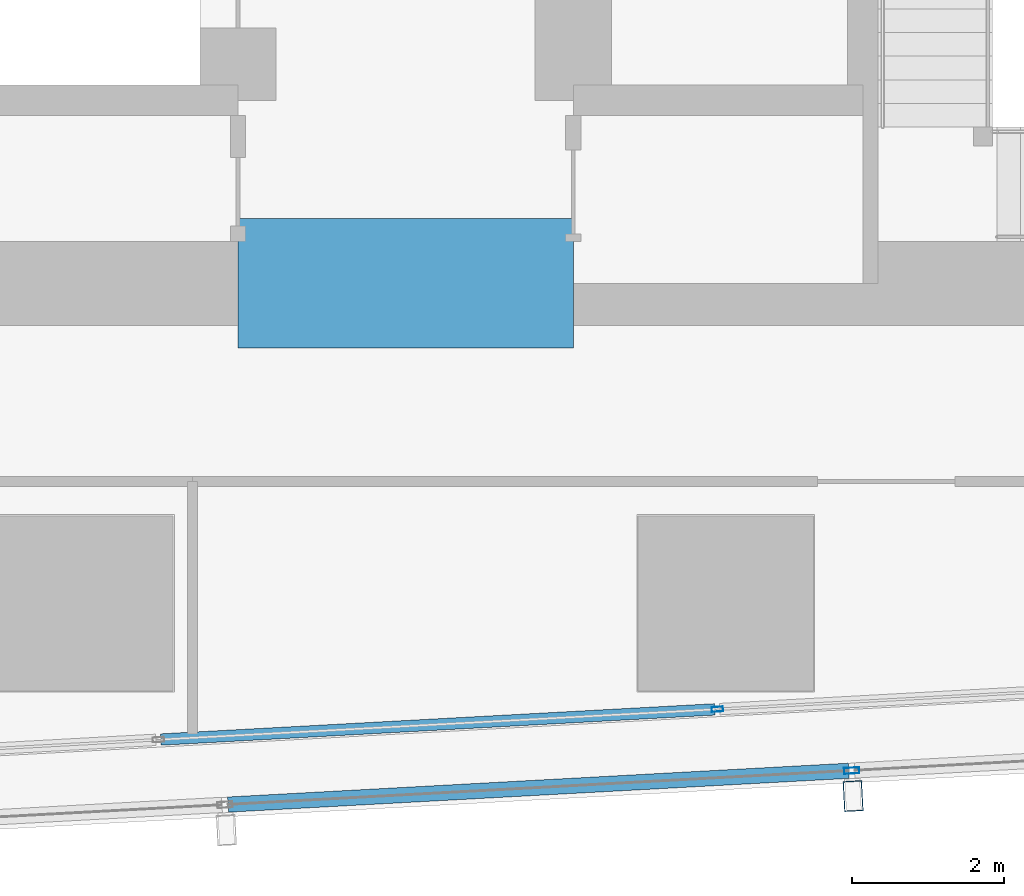
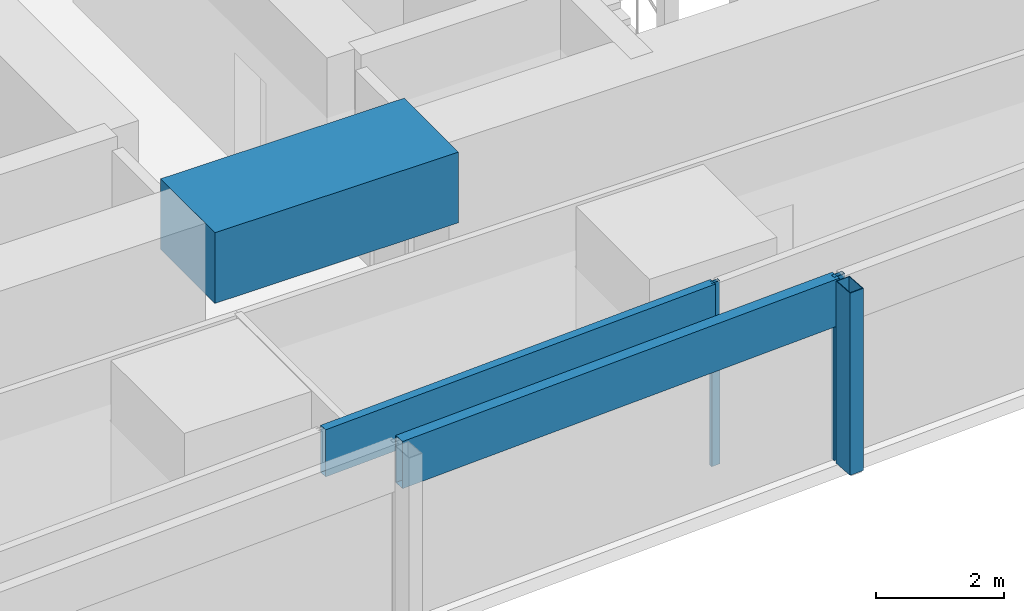
# One storey, part 8 of 32: 5 members, 1 beam, 2 elements without a shape of their own.
"""IFC4 building model written with IfcOpenShell, lengths in metres."""

from ifc_helpers import new_model, si_unit, direction, frame, origin, origin_2d, place, context, subcontext, project, spatial, rectangle, hollow_rectangle, extrude, material, material_profile, profile_set, type_object, element, aggregate, save


model = new_model("IFC4")

# Units and contexts
model_context = context("Model", 3, precision=1e-05, world=origin(), true_north=direction((0.0, 1.0)))
body_context = subcontext(model_context, "Body", "Model", "MODEL_VIEW")
ifc_project = project(units=[si_unit("LENGTHUNIT", "METRE"), si_unit("AREAUNIT", "SQUARE_METRE"), si_unit("VOLUMEUNIT", "CUBIC_METRE"), si_unit("PLANEANGLEUNIT", "RADIAN"), si_unit("MASSUNIT", "GRAM", prefix="KILO")], contexts=[model_context])

# Site, building, storey
site_placement = place(None, origin())
site = spatial("IfcSite", under=ifc_project, at=site_placement, CompositionType="ELEMENT")
building_placement = place(site_placement, origin())
building = spatial("IfcBuilding", under=site, at=building_placement, Name="Rekha Terrace Tower", CompositionType="ELEMENT")
storey_placement = place(building_placement, frame((0.0, 0.0, 250.10009765625)))
storey = spatial("IfcBuildingStorey", under=building, at=storey_placement, Name="L63", CompositionType="ELEMENT", Elevation=250.10009765625)

# Curtain wall, member
ifc_material_1 = material(Name="Aluminium framing", Category="aluminium")
curtain_wall_type_1 = type_object("IfcCurtainWallType", Name="CW2 double skin outer glazing", PredefinedType="USERDEFINED", material=ifc_material_1)
curtain_wall_1_placement = place(storey_placement, origin())
curtain_wall_1 = element("IfcCurtainWall", 1, at=curtain_wall_1_placement, inside=storey, type_object=curtain_wall_type_1, Name="CW2 double skin outer glazing", ObjectType="DOUBLE SKIN OUTER GLAZING", PredefinedType="USERDEFINED")
ifc_material_2 = material(Name="Steel S355 with fluorocarbon finish", Category="steel")
ifc_material_profile_1 = material_profile(ifc_material_2, hollow_rectangle(XDim=0.25, YDim=0.39990234375, WallThickness=0.012451171875, at=origin_2d()), Name="RHS400x250x12.5")
ifc_profile_set_1 = profile_set([ifc_material_profile_1], Name="Steel S355 with fluorocarbon finish")
member_type_1 = type_object("IfcMemberType", Name="BL1 facade blade RHS 400 x 250", PredefinedType="USERDEFINED", material=ifc_profile_set_1)
member_1_placement = place(storey_placement, frame((43.67138671875, 14.271728515625, 0.02001953125), z_axis=(0.0, 0.0, 1.0), x_axis=(0.99851982155, 0.054389024366, 0.0)))
member_1 = element("IfcMember", 2, at=member_1_placement, type_object=member_type_1, Name="Facade blade", ObjectType="FACADE BLADE", PredefinedType="USERDEFINED", context=body_context, shape_type="SweptSolid", body=[
    extrude(hollow_rectangle(XDim=0.25, YDim=0.39990234375, WallThickness=0.012451171875, at=origin_2d()), origin(), (0.0, 0.0, 1.0), 3.47998046875),
])

# Curtain wall, members
curtain_wall_type_2 = type_object("IfcCurtainWallType", Name="CW1 double skin inner glazing", PredefinedType="USERDEFINED", material=ifc_material_1)
curtain_wall_2_placement = place(storey_placement, origin())
curtain_wall_2 = element("IfcCurtainWall", 3, at=curtain_wall_2_placement, inside=storey, type_object=curtain_wall_type_2, Name="CW1 double skin inner glazing", ObjectType="DOUBLE SKIN INNER GLAZING", PredefinedType="USERDEFINED")
ifc_material_3 = material(Name="Aluminium mullion section", Category="aluminium")
ifc_material_profile_2 = material_profile(ifc_material_3, hollow_rectangle(XDim=0.06494140625, YDim=0.14990234375, WallThickness=0.00390625, at=origin_2d()), Name="AL RHS 65x150")
ifc_profile_set_2 = profile_set([ifc_material_profile_2], Name="Aluminium mullion section")
member_type_2 = type_object("IfcMemberType", Name="CW1 mullion RHS 65 x 150", PredefinedType="MULLION", material=ifc_profile_set_2)
member_2_placement = place(storey_placement, frame((41.890625, 15.41162109375, 0.0), z_axis=(0.0, 0.0, 1.0), x_axis=(-0.054388903036, 0.998519828159, 0.0)))
member_2 = element("IfcMember", 4, at=member_2_placement, type_object=member_type_2, Name="CW1 mullion 3", PredefinedType="MULLION", context=body_context, shape_type="SweptSolid", body=[
    extrude(hollow_rectangle(XDim=0.06494140625, YDim=0.14990234375, WallThickness=0.00390625, at=origin_2d()), origin(), (0.0, 0.0, 1.0), 3.5),
])
ifc_material_4 = material(Name="Insulated aluminium spandrel box", Category="aluminium")
ifc_material_profile_3 = material_profile(ifc_material_4, hollow_rectangle(XDim=0.14990234375, YDim=0.89990234375, WallThickness=0.0029296875, at=origin_2d()), Name="AL SPANDREL BOX 150x900")
ifc_profile_set_3 = profile_set([ifc_material_profile_3], Name="Insulated aluminium spandrel box")
member_type_3 = type_object("IfcMemberType", Name="CW1 spandrel transom 150 x 900", PredefinedType="USERDEFINED", material=ifc_profile_set_3)
member_3_placement = place(storey_placement, frame((34.5888671875, 15.013916015625, 3.0498046875), z_axis=(0.99852133974, 0.054361144978, 0.0), x_axis=(-0.054361144978, 0.99852133974, 0.0)))
member_3 = element("IfcMember", 5, at=member_3_placement, type_object=member_type_3, Name="CW1 spandrel transom 2", ObjectType="TRANSOM", PredefinedType="USERDEFINED", context=body_context, shape_type="SweptSolid", body=[
    extrude(hollow_rectangle(XDim=0.14990234375, YDim=0.89990234375, WallThickness=0.0029296875, at=origin_2d()), origin(), (0.0, 0.0, 1.0), 7.280029296875),
])
aggregate(curtain_wall_2, [member_2, member_3])

# Member
ifc_material_profile_4 = material_profile(ifc_material_3, hollow_rectangle(XDim=0.080078125, YDim=0.199951171875, WallThickness=0.00390625, at=origin_2d()), Name="AL RHS 80x200")
ifc_profile_set_4 = profile_set([ifc_material_profile_4], Name="Aluminium mullion section")
member_type_4 = type_object("IfcMemberType", Name="CW2 mullion RHS 80 x 200", PredefinedType="MULLION", material=ifc_profile_set_4)
member_4_placement = place(storey_placement, frame((43.6533203125, 14.606201171875, 0.0), z_axis=(0.0, 0.0, 1.0), x_axis=(-0.054388903071, 0.998519828157, 0.0)))
member_4 = element("IfcMember", 6, at=member_4_placement, type_object=member_type_4, Name="CW2 mullion 3", PredefinedType="MULLION", context=body_context, shape_type="SweptSolid", body=[
    extrude(hollow_rectangle(XDim=0.080078125, YDim=0.199951171875, WallThickness=0.00390625, at=origin_2d()), origin(), (0.0, 0.0, 1.0), 3.5),
])

ifc_material_profile_5 = material_profile(ifc_material_4, hollow_rectangle(XDim=0.199951171875, YDim=0.89990234375, WallThickness=0.0029296875, at=origin_2d()), Name="AL SPANDREL BOX 200x900")
ifc_profile_set_5 = profile_set([ifc_material_profile_5], Name="Insulated aluminium spandrel box")
member_type_5 = type_object("IfcMemberType", Name="CW2 spandrel transom 200 x 900", PredefinedType="USERDEFINED", material=ifc_profile_set_5)
member_5_placement = place(storey_placement, frame((35.469970703125, 14.160400390625, 3.0498046875), z_axis=(0.998519553524, 0.054393944798, 0.0), x_axis=(-0.054393944798, 0.998519553524, 0.0)))
member_5 = element("IfcMember", 7, at=member_5_placement, type_object=member_type_5, Name="CW2 spandrel transom 2", ObjectType="TRANSOM", PredefinedType="USERDEFINED", context=body_context, shape_type="SweptSolid", body=[
    extrude(hollow_rectangle(XDim=0.199951171875, YDim=0.89990234375, WallThickness=0.0029296875, at=origin_2d()), origin(), (0.0, 0.0, 1.0), 8.1552734375),
])

aggregate(curtain_wall_1, [member_4, member_5, member_1])

# Beam
ifc_material_5 = material(Name="Concrete M60", Category="concrete")
ifc_material_profile_6 = material_profile(ifc_material_5, rectangle(XDim=1.699951171875, YDim=1.35009765625, at=origin_2d()), Name="RC 1700x1350")
ifc_profile_set_6 = profile_set([ifc_material_profile_6], Name="Concrete M60")
beam_type = type_object("IfcBeamType", Name="LB4A 1700x1350 diagonally reinforced coupling beam", PredefinedType="LINTEL", material=ifc_profile_set_6)
beam_placement = place(storey_placement, frame((35.60009765625, 21.0, 3.074951171875), z_axis=(1.0, 0.0, 0.0), x_axis=(0.0, 1.0, 0.0)))
element("IfcBeam", 8, at=beam_placement, inside=storey, type_object=beam_type, Name="Coupling beam LB4A S L63", PredefinedType="LINTEL", context=body_context, shape_type="SweptSolid", body=[
    extrude(rectangle(XDim=1.699951171875, YDim=1.35009765625, at=origin_2d()), origin(), (0.0, 0.0, 1.0), 4.39990234375),
])

save(model, "model.ifc")
